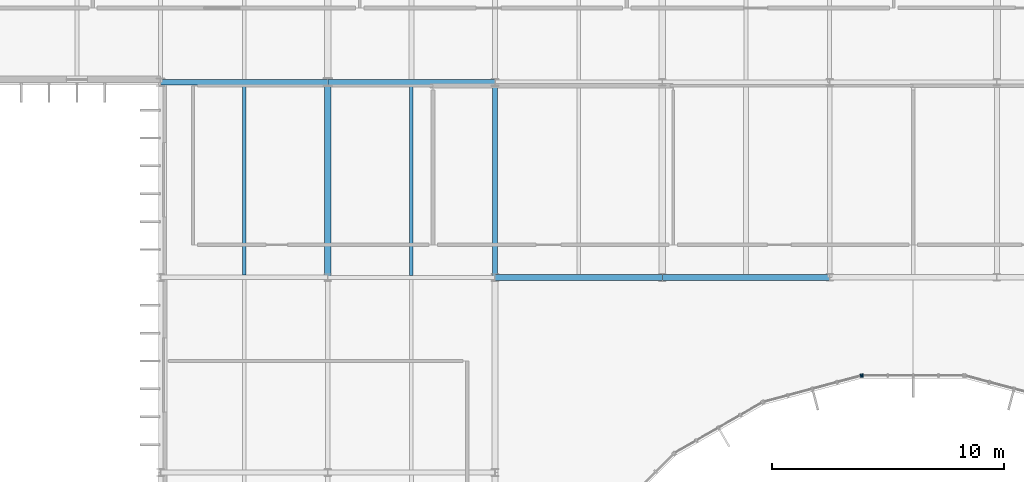
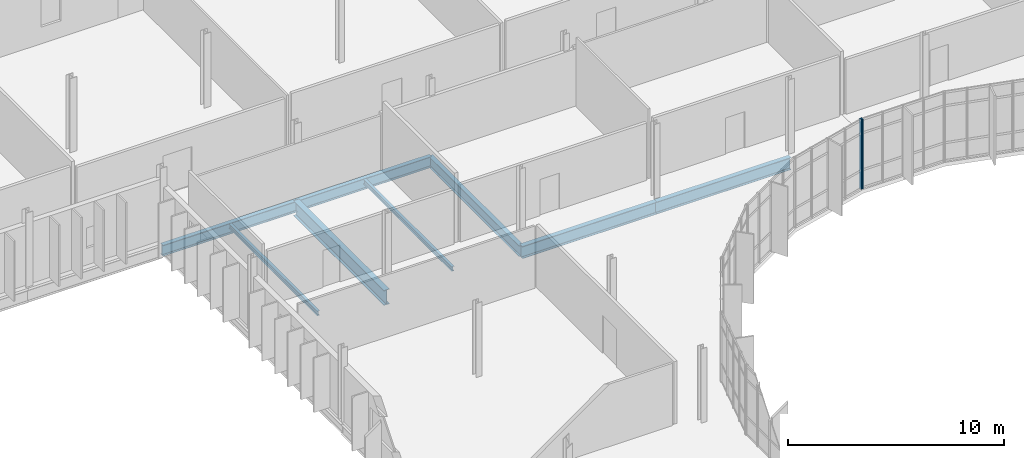
# One storey, part 55 of 119: 8 beams, 2 members, 2 elements without a shape of their own.
"""IFC4 building model written with IfcOpenShell, lengths in metres."""

from ifc_helpers import new_model, si_unit, direction, frame, origin, origin_2d, place, context, subcontext, project, spatial, rectangle, i_section, extrude, material, material_profile, profile_set, type_object, element, aggregate, save


model = new_model("IFC4")

# Units and contexts
model_context = context("Model", 3, precision=1e-05, world=origin(), true_north=direction((0.0, 1.0)))
body_context = subcontext(model_context, "Body", "Model", "MODEL_VIEW")
ifc_project = project(units=[si_unit("LENGTHUNIT", "METRE"), si_unit("AREAUNIT", "SQUARE_METRE"), si_unit("VOLUMEUNIT", "CUBIC_METRE"), si_unit("PLANEANGLEUNIT", "RADIAN"), si_unit("MASSUNIT", "GRAM", prefix="KILO")], contexts=[model_context])

# Site, building, storey
site_placement = place(None, origin())
site = spatial("IfcSite", under=ifc_project, at=site_placement, CompositionType="ELEMENT")
building_placement = place(site_placement, origin())
building = spatial("IfcBuilding", under=site, at=building_placement, Name="Qelthora Terrace Specialist Clinic", CompositionType="ELEMENT")
storey_placement = place(building_placement, frame((0.0, 0.0, 4.800048828125)))
storey = spatial("IfcBuildingStorey", under=building, at=storey_placement, Name="L01", CompositionType="ELEMENT", Elevation=4.800048828125)

# Beams
ifc_material_1 = material(Name="Steel S355", Category="steel")
ifc_material_profile_1 = material_profile(ifc_material_1, i_section(OverallWidth=0.22900390625, OverallDepth=0.612060546875, WebThickness=0.011962890625, FlangeThickness=0.01953125, FilletRadius=0.01611328125, at=origin_2d()), Name="W610X125")
ifc_profile_set_1 = profile_set([ifc_material_profile_1], Name="Steel S355")
beam_type_1 = type_object("IfcBeamType", Name="BM-W610X125", PredefinedType="BEAM", material=ifc_profile_set_1)
beam_1_placement = place(storey_placement, frame((100.800048828125, 92.39990234375, -0.55615234375), z_axis=(1.0, 0.0, 0.0), x_axis=(0.0, 1.0, 0.0)))
element("IfcBeam", 1, at=beam_1_placement, inside=storey, type_object=beam_type_1, Name="Girder BMX-L01-0298", PredefinedType="BEAM", context=body_context, shape_type="SweptSolid", body=[
    extrude(i_section(OverallWidth=0.22900390625, OverallDepth=0.612060546875, WebThickness=0.011962890625, FlangeThickness=0.01953125, FilletRadius=0.01611328125, at=origin_2d()), origin(), (0.0, 0.0, 1.0), 7.199951171875),
])
ifc_material_profile_2 = material_profile(ifc_material_1, i_section(OverallWidth=0.22998046875, OverallDepth=0.616943359375, WebThickness=0.01318359375, FlangeThickness=0.022216796875, FilletRadius=0.01611328125, at=origin_2d()), Name="W610X140")
ifc_profile_set_2 = profile_set([ifc_material_profile_2], Name="Steel S355")
beam_type_2 = type_object("IfcBeamType", Name="BM-W610X140", PredefinedType="BEAM", material=ifc_profile_set_2)
beam_2_placement = place(storey_placement, frame((93.60009765625, 92.39990234375, -0.55859375), z_axis=(1.0, 0.0, 0.0), x_axis=(0.0, 1.0, 0.0)))
element("IfcBeam", 2, at=beam_2_placement, inside=storey, type_object=beam_type_2, Name="Girder BMX-L01-0297", PredefinedType="BEAM", context=body_context, shape_type="SweptSolid", body=[
    extrude(i_section(OverallWidth=0.22998046875, OverallDepth=0.616943359375, WebThickness=0.01318359375, FlangeThickness=0.022216796875, FilletRadius=0.01611328125, at=origin_2d()), origin(), (0.0, 0.0, 1.0), 7.199951171875),
])
beam_3_placement = place(storey_placement, frame((108.0, 84.0, -0.55859375), z_axis=(0.0, 1.0, 0.0), x_axis=(-1.0, 0.0, 0.0)))
element("IfcBeam", 3, at=beam_3_placement, inside=storey, type_object=beam_type_2, Name="Girder BMY-L01-0484", PredefinedType="BEAM", context=body_context, shape_type="SweptSolid", body=[
    extrude(i_section(OverallWidth=0.22998046875, OverallDepth=0.616943359375, WebThickness=0.01318359375, FlangeThickness=0.022216796875, FilletRadius=0.01611328125, at=origin_2d()), origin(), (0.0, 0.0, 1.0), 8.39990234375),
])
ifc_material_profile_3 = material_profile(ifc_material_1, i_section(OverallWidth=0.25390625, OverallDepth=0.68798828125, WebThickness=0.01318359375, FlangeThickness=0.02099609375, FilletRadius=0.01806640625, at=origin_2d()), Name="W690X152")
ifc_profile_set_3 = profile_set([ifc_material_profile_3], Name="Steel S355")
beam_type_3 = type_object("IfcBeamType", Name="BM-W690X152", PredefinedType="BEAM", material=ifc_profile_set_3)
beam_4_placement = place(storey_placement, frame((115.199951171875, 84.0, -0.593994140625), z_axis=(1.0, 0.0, 0.0), x_axis=(0.0, 1.0, 0.0)))
element("IfcBeam", 4, at=beam_4_placement, inside=storey, type_object=beam_type_3, Name="Girder BMX-L01-0282", PredefinedType="BEAM", context=body_context, shape_type="SweptSolid", body=[
    extrude(i_section(OverallWidth=0.25390625, OverallDepth=0.68798828125, WebThickness=0.01318359375, FlangeThickness=0.02099609375, FilletRadius=0.01806640625, at=origin_2d()), origin(), (0.0, 0.0, 1.0), 7.199951171875),
])
ifc_material_profile_4 = material_profile(ifc_material_1, i_section(OverallWidth=0.256103515625, OverallDepth=0.693115234375, WebThickness=0.014404296875, FlangeThickness=0.023681640625, FilletRadius=0.01806640625, at=origin_2d()), Name="W690X170")
ifc_profile_set_4 = profile_set([ifc_material_profile_4], Name="Steel S355")
beam_type_4 = type_object("IfcBeamType", Name="BM-W690X170", PredefinedType="BEAM", material=ifc_profile_set_4)
beam_5_placement = place(storey_placement, frame((108.0, 84.0, -0.596435546875), z_axis=(1.0, 0.0, 0.0), x_axis=(0.0, 1.0, 0.0)))
element("IfcBeam", 5, at=beam_5_placement, inside=storey, type_object=beam_type_4, Name="Girder BMX-L01-0281", PredefinedType="BEAM", context=body_context, shape_type="SweptSolid", body=[
    extrude(i_section(OverallWidth=0.256103515625, OverallDepth=0.693115234375, WebThickness=0.014404296875, FlangeThickness=0.023681640625, FilletRadius=0.01806640625, at=origin_2d()), origin(), (0.0, 0.0, 1.0), 7.199951171875),
])
ifc_material_profile_5 = material_profile(ifc_material_1, i_section(OverallWidth=0.2939453125, OverallDepth=0.85107421875, WebThickness=0.01611328125, FlangeThickness=0.02685546875, FilletRadius=0.02001953125, at=origin_2d()), Name="W840X226")
ifc_profile_set_5 = profile_set([ifc_material_profile_5], Name="Steel S355")
beam_type_5 = type_object("IfcBeamType", Name="BM-W840X226", PredefinedType="BEAM", material=ifc_profile_set_5)
beam_6_placement = place(storey_placement, frame((100.800048828125, 84.0, -0.675537109375), z_axis=(0.0, 1.0, 0.0), x_axis=(-1.0, 0.0, 0.0)))
element("IfcBeam", 6, at=beam_6_placement, inside=storey, type_object=beam_type_5, Name="Girder BMY-L01-0471", PredefinedType="BEAM", context=body_context, shape_type="SweptSolid", body=[
    extrude(i_section(OverallWidth=0.2939453125, OverallDepth=0.85107421875, WebThickness=0.01611328125, FlangeThickness=0.02685546875, FilletRadius=0.02001953125, at=origin_2d()), origin(), (0.0, 0.0, 1.0), 8.39990234375),
])

# Curtain wall, member
ifc_material_2 = material(Name="Aluminium anodized bronze", Category="aluminium")
curtain_wall_type = type_object("IfcCurtainWallType", Name="CW-CRTE-UPP", PredefinedType="NOTDEFINED", material=ifc_material_2)
curtain_wall_1_placement = place(storey_placement, origin())
curtain_wall_1 = element("IfcCurtainWall", 7, at=curtain_wall_1_placement, inside=storey, type_object=curtain_wall_type, Name="Curtain wall CW-CE-L01-06", PredefinedType="NOTDEFINED")
ifc_material_profile_6 = material_profile(ifc_material_2, rectangle(XDim=0.06005859375, YDim=0.14990234375, at=origin_2d()), Name="CWM60X150")
ifc_profile_set_6 = profile_set([ifc_material_profile_6], Name="Aluminium anodized bronze")
member_type = type_object("IfcMemberType", Name="CWM-60X150", PredefinedType="MULLION", material=ifc_profile_set_6)
member_1_placement = place(storey_placement, frame((123.8271484375, 79.7763671875, 0.0), z_axis=(0.0, 0.0, 1.0), x_axis=(-1.0, 0.0, 0.0)))
member_1 = element("IfcMember", 8, at=member_1_placement, type_object=member_type, Name="CW-CE-L01-06 mullion 5", PredefinedType="MULLION", context=body_context, shape_type="SweptSolid", body=[
    extrude(rectangle(XDim=0.06005859375, YDim=0.14990234375, at=origin_2d()), origin(), (0.0, 0.0, 1.0), 3.945068359375),
])
aggregate(curtain_wall_1, [member_1])

curtain_wall_2_placement = place(storey_placement, origin())
curtain_wall_2 = element("IfcCurtainWall", 9, at=curtain_wall_2_placement, inside=storey, type_object=curtain_wall_type, Name="Curtain wall CW-CE-L01-07", PredefinedType="NOTDEFINED")
member_2_placement = place(storey_placement, frame((123.7568359375, 79.76708984375, 0.0), z_axis=(0.0, 0.0, 1.0), x_axis=(-0.965925660235, -0.258819664824, 0.0)))
member_2 = element("IfcMember", 10, at=member_2_placement, type_object=member_type, Name="CW-CE-L01-07 mullion 1", PredefinedType="MULLION", context=body_context, shape_type="SweptSolid", body=[
    extrude(rectangle(XDim=0.06005859375, YDim=0.14990234375, at=origin_2d()), origin(), (0.0, 0.0, 1.0), 3.945068359375),
])
aggregate(curtain_wall_2, [member_2])

# Beams
ifc_material_profile_7 = material_profile(ifc_material_1, i_section(OverallWidth=0.14599609375, OverallDepth=0.258056640625, WebThickness=0.006103515625, FlangeThickness=0.009033203125, FilletRadius=0.009033203125, at=origin_2d()), Name="W250X33")
ifc_profile_set_7 = profile_set([ifc_material_profile_7], Name="Steel S355")
beam_type_6 = type_object("IfcBeamType", Name="JST-W250X33", PredefinedType="JOIST", material=ifc_profile_set_7)
beam_7_placement = place(storey_placement, frame((104.39990234375, 84.089599609375, -0.379150390625), z_axis=(0.0, 1.0, 0.0), x_axis=(-1.0, 0.0, 0.0)))
element("IfcBeam", 11, at=beam_7_placement, inside=storey, type_object=beam_type_6, Name="Composite floor joist JST-L01-0120", PredefinedType="JOIST", context=body_context, shape_type="SweptSolid", body=[
    extrude(i_section(OverallWidth=0.14599609375, OverallDepth=0.258056640625, WebThickness=0.006103515625, FlangeThickness=0.009033203125, FilletRadius=0.009033203125, at=origin_2d()), origin(), (0.0, 0.0, 1.0), 8.19580078125),
])
ifc_material_profile_8 = material_profile(ifc_material_1, i_section(OverallWidth=0.14697265625, OverallDepth=0.261962890625, WebThickness=0.006591796875, FlangeThickness=0.01123046875, FilletRadius=0.009033203125, at=origin_2d()), Name="W250X39")
ifc_profile_set_8 = profile_set([ifc_material_profile_8], Name="Steel S355")
beam_type_7 = type_object("IfcBeamType", Name="JST-W250X39", PredefinedType="JOIST", material=ifc_profile_set_8)
beam_8_placement = place(storey_placement, frame((97.199951171875, 84.095458984375, -0.381103515625), z_axis=(0.0, 1.0, 0.0), x_axis=(-1.0, 0.0, 0.0)))
element("IfcBeam", 12, at=beam_8_placement, inside=storey, type_object=beam_type_7, Name="Composite floor joist JST-L01-0113", PredefinedType="JOIST", context=body_context, shape_type="SweptSolid", body=[
    extrude(i_section(OverallWidth=0.14697265625, OverallDepth=0.261962890625, WebThickness=0.006591796875, FlangeThickness=0.01123046875, FilletRadius=0.009033203125, at=origin_2d()), origin(), (0.0, 0.0, 1.0), 8.189453125),
])

save(model, "model.ifc")
